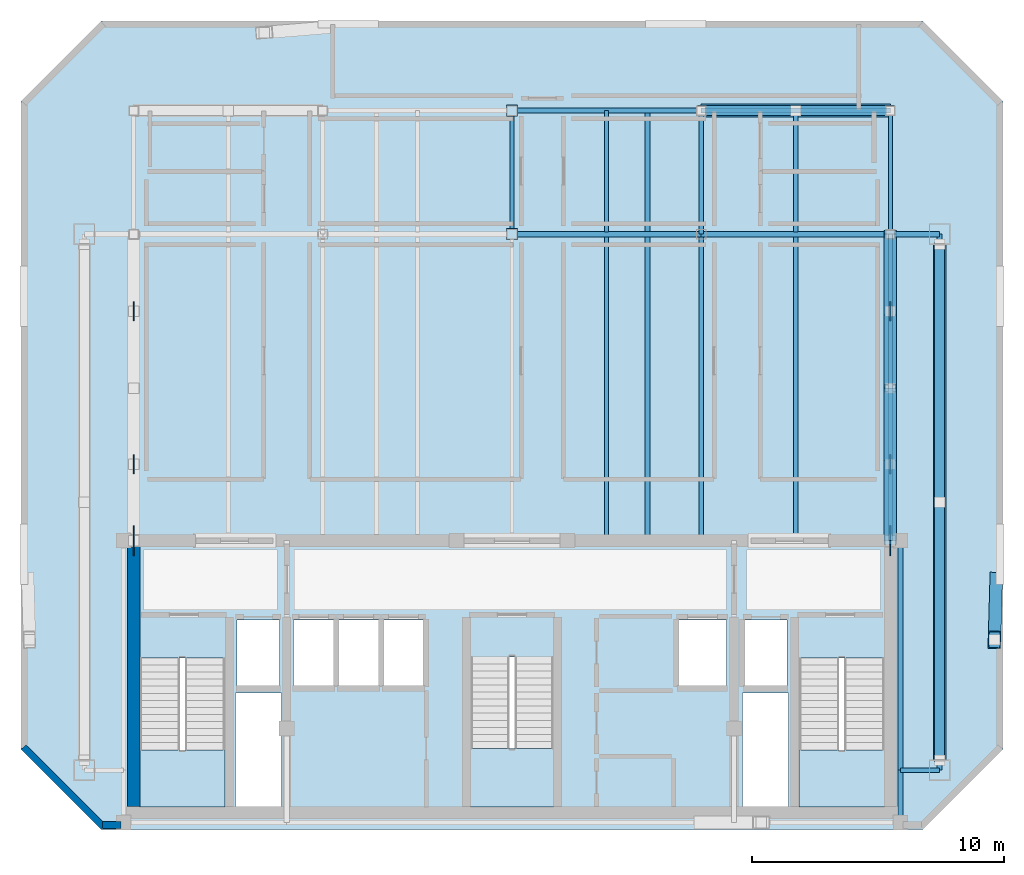
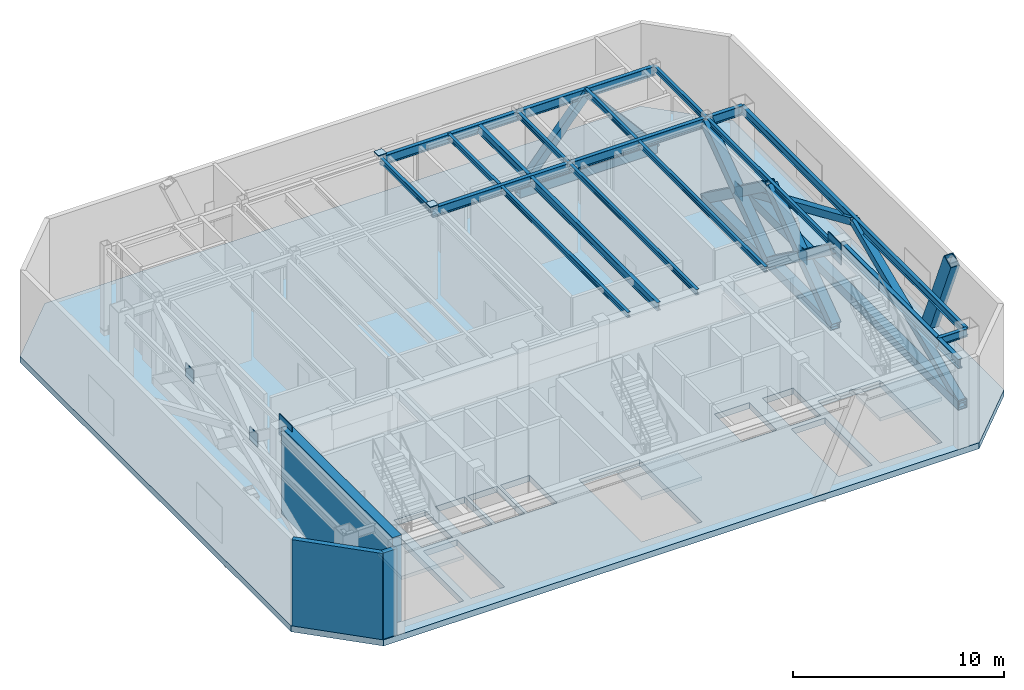
# One storey, part 2 of 7: 19 beams, 15 members, 8 plates, 4 slabs, 3 walls, 3 elements without a shape of their own.
"""IFC4 building model written with IfcOpenShell, lengths in metres."""

from ifc_helpers import new_model, si_unit, direction, frame, frame_2d, origin, origin_2d, place, context, subcontext, project, spatial, polyline, rectangle, hollow_rectangle, i_section, outline, extrude, material, layer, layer_set, material_profile, profile_set, type_object, element, aggregate, save


model = new_model("IFC4")

# Units and contexts
model_context = context("Model", 3, precision=1e-05, world=origin(), true_north=direction((0.0, 1.0)))
body_context = subcontext(model_context, "Body", "Model", "MODEL_VIEW")
ifc_project = project(units=[si_unit("LENGTHUNIT", "METRE"), si_unit("AREAUNIT", "SQUARE_METRE"), si_unit("VOLUMEUNIT", "CUBIC_METRE"), si_unit("PLANEANGLEUNIT", "RADIAN"), si_unit("MASSUNIT", "GRAM", prefix="KILO")], contexts=[model_context])

# Site, building, storey
site_placement = place(None, origin())
site = spatial("IfcSite", under=ifc_project, at=site_placement, CompositionType="ELEMENT")
building_placement = place(site_placement, origin())
building = spatial("IfcBuilding", under=site, at=building_placement, Name="Ventersveld Concourse Tower", CompositionType="ELEMENT")
storey_placement = place(building_placement, frame((0.0, 0.0, 332.300048828125)))
storey = spatial("IfcBuildingStorey", under=building, at=storey_placement, Name="L82", CompositionType="ELEMENT", Elevation=332.300048828125)

# Members
ifc_material_1 = material(Name="Structural steel S355ML", Category="steel")
ifc_material_profile_1 = material_profile(ifc_material_1, hollow_rectangle(XDim=0.39990234375, YDim=0.39990234375, WallThickness=0.02001953125, at=origin_2d()), Name="SHS 400x400x20")
ifc_profile_set_1 = profile_set([ifc_material_profile_1], Name="Structural steel S355ML")
member_type_1 = type_object("IfcMemberType", Name="BLT-BR-400", PredefinedType="BRACE", material=ifc_profile_set_1)
for number, where, z_axis, x_axis, name in (
    (1, (36.25, 28.5, 0.300048828125), (0.646102505441, 0.0, 0.763250648518), (0.0, 1.0, 0.0), "L82 Belt Truss Chevron Diagonal N3-1"),
    (2, (43.75, 28.5, 0.300048828125), (-0.646102505441, 0.0, 0.763250648518), (0.0, -1.0, 0.0), "L82 Belt Truss Chevron Diagonal N3-2"),
):
    element("IfcMember", number, at=place(storey_placement, frame(where, z_axis=z_axis, x_axis=x_axis)), inside=storey, type_object=member_type_1, Name=name, PredefinedType="BRACE", context=body_context, shape_type="SweptSolid", body=[
        extrude(hollow_rectangle(XDim=0.39990234375, YDim=0.39990234375, WallThickness=0.02001953125, at=origin_2d()), origin(), (0.0, 0.0, 1.0), 5.803955078125),
    ])
member_1_placement = place(storey_placement, frame((45.699951171875, 2.75, 0.300048828125), z_axis=(0.0, 0.91758652857, 0.39753611482), x_axis=(-1.0, 0.0, 0.0)))
element("IfcMember", 3, at=member_1_placement, inside=storey, type_object=member_type_1, Name="L82 Belt Truss Chevron Diagonal E1-1", PredefinedType="BRACE", context=body_context, shape_type="SweptSolid", body=[
    extrude(hollow_rectangle(XDim=0.39990234375, YDim=0.39990234375, WallThickness=0.02001953125, at=origin_2d()), origin(), (0.0, 0.0, 1.0), 11.1435546875),
])
member_2_placement = place(storey_placement, frame((45.699951171875, 23.199951171875, 0.300048828125), z_axis=(0.0, -0.917583066101, 0.397544106741), x_axis=(1.0, 0.0, 0.0)))
element("IfcMember", 4, at=member_2_placement, inside=storey, type_object=member_type_1, Name="L82 Belt Truss Chevron Diagonal E1-2", PredefinedType="BRACE", context=body_context, shape_type="SweptSolid", body=[
    extrude(hollow_rectangle(XDim=0.39990234375, YDim=0.39990234375, WallThickness=0.02001953125, at=origin_2d()), origin(), (0.0, 0.0, 1.0), 11.143310546875),
])

# Beams
ifc_material_2 = material(Name="Structural steel S355J2", Category="steel")
ifc_material_profile_2 = material_profile(ifc_material_2, i_section(OverallWidth=0.1650390625, OverallDepth=0.303466796875, WebThickness=0.006103515625, FlangeThickness=0.01025390625, FilletRadius=0.0087890625, at=origin_2d()), Name="UB 305x165x40")
ifc_profile_set_2 = profile_set([ifc_material_profile_2], Name="Structural steel S355J2")
beam_type_1 = type_object("IfcBeamType", Name="BM-UB305", PredefinedType="BEAM", material=ifc_profile_set_2)
beam_1_placement = place(storey_placement, frame((28.75, 23.60009765625, 4.828369140625), z_axis=(0.0, 1.0, 0.0), x_axis=(-1.0, 0.0, 0.0)))
element("IfcBeam", 5, at=beam_1_placement, inside=storey, type_object=beam_type_1, Name="L82 N-S Upper-Zone Floor Beam X=28.75", PredefinedType="BEAM", context=body_context, shape_type="SweptSolid", body=[
    extrude(i_section(OverallWidth=0.1650390625, OverallDepth=0.303466796875, WebThickness=0.006103515625, FlangeThickness=0.01025390625, FilletRadius=0.0087890625, at=origin_2d()), origin(), (0.0, 0.0, 1.0), 4.89990234375),
])
beam_2_placement = place(storey_placement, frame((32.5, 11.449951171875, 4.828369140625), z_axis=(0.0, 1.0, 0.0), x_axis=(-1.0, 0.0, 0.0)))
element("IfcBeam", 6, at=beam_2_placement, inside=storey, type_object=beam_type_1, Name="L82 N-S Composite Floor Beam South X=32.50", PredefinedType="BEAM", context=body_context, shape_type="SweptSolid", body=[
    extrude(i_section(OverallWidth=0.1650390625, OverallDepth=0.303466796875, WebThickness=0.006103515625, FlangeThickness=0.01025390625, FilletRadius=0.0087890625, at=origin_2d()), origin(), (0.0, 0.0, 1.0), 12.054931640625),
])
beam_3_placement = place(storey_placement, frame((32.5, 23.695068359375, 4.828369140625), z_axis=(0.0, 1.0, 0.0), x_axis=(-1.0, 0.0, 0.0)))
element("IfcBeam", 7, at=beam_3_placement, inside=storey, type_object=beam_type_1, Name="L82 N-S Upper-Zone Floor Beam X=32.50", PredefinedType="BEAM", context=body_context, shape_type="SweptSolid", body=[
    extrude(i_section(OverallWidth=0.1650390625, OverallDepth=0.303466796875, WebThickness=0.006103515625, FlangeThickness=0.01025390625, FilletRadius=0.0087890625, at=origin_2d()), origin(), (0.0, 0.0, 1.0), 4.804931640625),
])
beam_4_placement = place(storey_placement, frame((36.25, 11.449951171875, 4.828369140625), z_axis=(0.0, 1.0, 0.0), x_axis=(-1.0, 0.0, 0.0)))
element("IfcBeam", 8, at=beam_4_placement, inside=storey, type_object=beam_type_1, Name="L82 N-S Composite Floor Beam South X=36.25", PredefinedType="BEAM", context=body_context, shape_type="SweptSolid", body=[
    extrude(i_section(OverallWidth=0.1650390625, OverallDepth=0.303466796875, WebThickness=0.006103515625, FlangeThickness=0.01025390625, FilletRadius=0.0087890625, at=origin_2d()), origin(), (0.0, 0.0, 1.0), 12.150146484375),
])
beam_5_placement = place(storey_placement, frame((36.25, 23.60009765625, 4.828369140625), z_axis=(0.0, 1.0, 0.0), x_axis=(-1.0, 0.0, 0.0)))
element("IfcBeam", 9, at=beam_5_placement, inside=storey, type_object=beam_type_1, Name="L82 N-S Upper-Zone Floor Beam X=36.25", PredefinedType="BEAM", context=body_context, shape_type="SweptSolid", body=[
    extrude(i_section(OverallWidth=0.1650390625, OverallDepth=0.303466796875, WebThickness=0.006103515625, FlangeThickness=0.01025390625, FilletRadius=0.0087890625, at=origin_2d()), origin(), (0.0, 0.0, 1.0), 4.89990234375),
])
beam_6_placement = place(storey_placement, frame((40.0, 11.449951171875, 4.828369140625), z_axis=(0.0, 1.0, 0.0), x_axis=(-1.0, 0.0, 0.0)))
element("IfcBeam", 10, at=beam_6_placement, inside=storey, type_object=beam_type_1, Name="L82 N-S Composite Floor Beam South X=40.00", PredefinedType="BEAM", context=body_context, shape_type="SweptSolid", body=[
    extrude(i_section(OverallWidth=0.1650390625, OverallDepth=0.303466796875, WebThickness=0.006103515625, FlangeThickness=0.01025390625, FilletRadius=0.0087890625, at=origin_2d()), origin(), (0.0, 0.0, 1.0), 12.054931640625),
])
beam_7_placement = place(storey_placement, frame((40.0, 23.695068359375, 4.828369140625), z_axis=(0.0, 1.0, 0.0), x_axis=(-1.0, 0.0, 0.0)))
element("IfcBeam", 11, at=beam_7_placement, inside=storey, type_object=beam_type_1, Name="L82 N-S Upper-Zone Floor Beam X=40.00", PredefinedType="BEAM", context=body_context, shape_type="SweptSolid", body=[
    extrude(i_section(OverallWidth=0.1650390625, OverallDepth=0.303466796875, WebThickness=0.006103515625, FlangeThickness=0.01025390625, FilletRadius=0.0087890625, at=origin_2d()), origin(), (0.0, 0.0, 1.0), 4.804931640625),
])
beam_8_placement = place(storey_placement, frame((43.75, 11.449951171875, 4.828369140625), z_axis=(0.0, 1.0, 0.0), x_axis=(-1.0, 0.0, 0.0)))
element("IfcBeam", 12, at=beam_8_placement, inside=storey, type_object=beam_type_1, Name="L82 N-S Composite Floor Beam South X=43.75", PredefinedType="BEAM", context=body_context, shape_type="SweptSolid", body=[
    extrude(i_section(OverallWidth=0.1650390625, OverallDepth=0.303466796875, WebThickness=0.006103515625, FlangeThickness=0.01025390625, FilletRadius=0.0087890625, at=origin_2d()), origin(), (0.0, 0.0, 1.0), 12.150146484375),
])
beam_9_placement = place(storey_placement, frame((43.75, 23.60009765625, 4.828369140625), z_axis=(0.0, 1.0, 0.0), x_axis=(-1.0, 0.0, 0.0)))
element("IfcBeam", 13, at=beam_9_placement, inside=storey, type_object=beam_type_1, Name="L82 N-S Upper-Zone Floor Beam X=43.75", PredefinedType="BEAM", context=body_context, shape_type="SweptSolid", body=[
    extrude(i_section(OverallWidth=0.1650390625, OverallDepth=0.303466796875, WebThickness=0.006103515625, FlangeThickness=0.01025390625, FilletRadius=0.0087890625, at=origin_2d()), origin(), (0.0, 0.0, 1.0), 4.89990234375),
])
ifc_material_profile_3 = material_profile(ifc_material_2, i_section(OverallWidth=0.209228515625, OverallDepth=0.533203125, WebThickness=0.010009765625, FlangeThickness=0.015625, FilletRadius=0.0126953125, at=origin_2d()), Name="UB 533x210x92")
ifc_profile_set_3 = profile_set([ifc_material_profile_3], Name="Structural steel S355J2")
beam_type_2 = type_object("IfcBeamType", Name="GRD-UB533", PredefinedType="T_BEAM", material=ifc_profile_set_3)
for number, where, z_axis, x_axis, name in (
    (14, (28.75, 23.60009765625, 4.71337890625), (1.0, 0.0, 0.0), (0.0, 1.0, 0.0), "L82 Primary E-W Grid Girder Y=23.60 #4"),
    (15, (36.25, 23.60009765625, 4.71337890625), (1.0, 0.0, 0.0), (0.0, 1.0, 0.0), "L82 Primary E-W Grid Girder Y=23.60 #5"),
):
    element("IfcBeam", number, at=place(storey_placement, frame(where, z_axis=z_axis, x_axis=x_axis)), inside=storey, type_object=beam_type_2, Name=name, PredefinedType="T_BEAM", context=body_context, shape_type="SweptSolid", body=[
        extrude(i_section(OverallWidth=0.209228515625, OverallDepth=0.533203125, WebThickness=0.010009765625, FlangeThickness=0.015625, FilletRadius=0.0126953125, at=origin_2d()), origin(), (0.0, 0.0, 1.0), 7.5),
    ])
beam_10_placement = place(storey_placement, frame((43.75, 23.60009765625, 4.71337890625), z_axis=(1.0, 0.0, 0.0), x_axis=(0.0, 1.0, 0.0)))
element("IfcBeam", 16, at=beam_10_placement, inside=storey, type_object=beam_type_2, Name="L82 Primary E-W Grid Girder Y=23.60 #6", PredefinedType="T_BEAM", context=body_context, shape_type="SweptSolid", body=[
    extrude(i_section(OverallWidth=0.209228515625, OverallDepth=0.533203125, WebThickness=0.010009765625, FlangeThickness=0.015625, FilletRadius=0.0126953125, at=origin_2d()), origin(), (0.0, 0.0, 1.0), 1.949951171875),
])
for number, where, z_axis, x_axis, name in (
    (17, (28.75, 28.5, 4.71337890625), (1.0, 0.0, 0.0), (0.0, 1.0, 0.0), "L82 Upper-North E-W Girder Y=28.50 #3"),
    (18, (36.25, 28.5, 4.71337890625), (1.0, 0.0, 0.0), (0.0, 1.0, 0.0), "L82 Upper-North E-W Girder Y=28.50 #4"),
):
    element("IfcBeam", number, at=place(storey_placement, frame(where, z_axis=z_axis, x_axis=x_axis)), inside=storey, type_object=beam_type_2, Name=name, PredefinedType="T_BEAM", context=body_context, shape_type="SweptSolid", body=[
        extrude(i_section(OverallWidth=0.209228515625, OverallDepth=0.533203125, WebThickness=0.010009765625, FlangeThickness=0.015625, FilletRadius=0.0126953125, at=origin_2d()), origin(), (0.0, 0.0, 1.0), 7.5),
    ])
ifc_material_profile_4 = material_profile(ifc_material_2, i_section(OverallWidth=0.2119140625, OverallDepth=0.54443359375, WebThickness=0.0126953125, FlangeThickness=0.021240234375, FilletRadius=0.0126953125, at=origin_2d()), Name="UB 533x210x122")
ifc_profile_set_4 = profile_set([ifc_material_profile_4], Name="Structural steel S355J2")
beam_type_3 = type_object("IfcBeamType", Name="GRD-UB533H", PredefinedType="T_BEAM", material=ifc_profile_set_4)
beam_11_placement = place(storey_placement, frame((44.14990234375, 0.280029296875, 4.707763671875), z_axis=(0.0, 1.0, 0.0), x_axis=(-1.0, 0.0, 0.0)))
element("IfcBeam", 19, at=beam_11_placement, inside=storey, type_object=beam_type_3, Name="L82 Core East Tie Beam S", PredefinedType="T_BEAM", context=body_context, shape_type="SweptSolid", body=[
    extrude(i_section(OverallWidth=0.2119140625, OverallDepth=0.54443359375, WebThickness=0.0126953125, FlangeThickness=0.021240234375, FilletRadius=0.0126953125, at=origin_2d()), origin(), (0.0, 0.0, 1.0), 2.070068359375),
])
beam_12_placement = place(storey_placement, frame((44.14990234375, 2.35009765625, 4.707763671875), z_axis=(0.0, 1.0, 0.0), x_axis=(-1.0, 0.0, 0.0)))
element("IfcBeam", 20, at=beam_12_placement, inside=storey, type_object=beam_type_3, Name="L82 Core East Tie Beam N", PredefinedType="T_BEAM", context=body_context, shape_type="SweptSolid", body=[
    extrude(i_section(OverallWidth=0.2119140625, OverallDepth=0.54443359375, WebThickness=0.0126953125, FlangeThickness=0.021240234375, FilletRadius=0.0126953125, at=origin_2d()), origin(), (0.0, 0.0, 1.0), 9.099853515625),
])

# Members
ifc_material_profile_5 = material_profile(ifc_material_1, hollow_rectangle(XDim=0.5, YDim=0.75, WallThickness=0.034912109375, at=origin_2d()), Name="BOX 750x500x35")
ifc_profile_set_5 = profile_set([ifc_material_profile_5], Name="Structural steel S355ML")
member_type_2 = type_object("IfcMemberType", Name="MB-750x500", PredefinedType="BRACE", material=ifc_profile_set_5)
member_3_placement = place(storey_placement, frame((47.942626953125, 9.85009765625, -0.35009765625), z_axis=(-0.011374080685, -0.400317275194, 0.916306013005), x_axis=(0.999596604453, -0.028401203586, 0.0)))
element("IfcMember", 21, at=member_3_placement, inside=storey, type_object=member_type_2, Name="L82 Exterior Mega-Brace E (Module M20)", PredefinedType="BRACE", context=body_context, shape_type="SweptSolid", body=[
    extrude(hollow_rectangle(XDim=0.5, YDim=0.75, WallThickness=0.034912109375, at=origin_2d()), origin(), (0.0, 0.0, 1.0), 5.81689453125),
])
ifc_material_profile_6 = material_profile(ifc_material_1, hollow_rectangle(XDim=0.5, YDim=0.5, WallThickness=0.031982421875, at=origin_2d()), Name="BOX 500x500x32")
ifc_profile_set_6 = profile_set([ifc_material_profile_6], Name="Structural steel S355ML")
member_type_3 = type_object("IfcMemberType", Name="OUT-BR-500", PredefinedType="BRACE", material=ifc_profile_set_6)
member_4_placement = place(storey_placement, frame((43.75, 11.449951171875, 0.300048828125), z_axis=(0.0, 0.806835384059, 0.590776322334), x_axis=(-1.0, 0.0, 0.0)))
element("IfcMember", 22, at=member_4_placement, inside=storey, type_object=member_type_3, Name="L82 Outrigger Truss Continuous Diagonal E-1A", PredefinedType="BRACE", context=body_context, shape_type="SweptSolid", body=[
    extrude(hollow_rectangle(XDim=0.5, YDim=0.5, WallThickness=0.031982421875, at=origin_2d()), origin(), (0.0, 0.0, 1.0), 7.49853515625),
])
member_5_placement = place(storey_placement, frame((43.75, 11.449951171875, 4.72998046875), z_axis=(0.0, 0.806831228361, -0.590781997814), x_axis=(-1.0, 0.0, 0.0)))
element("IfcMember", 23, at=member_5_placement, inside=storey, type_object=member_type_3, Name="L82 Outrigger Truss Split X-Diagonal E-1B1", PredefinedType="BRACE", context=body_context, shape_type="SweptSolid", body=[
    extrude(hollow_rectangle(XDim=0.5, YDim=0.5, WallThickness=0.031982421875, at=origin_2d()), origin(), (0.0, 0.0, 1.0), 3.74951171875),
])
member_6_placement = place(storey_placement, frame((43.75, 14.47509765625, 2.514892578125), z_axis=(0.0, 0.806839540096, -0.590770646307), x_axis=(-1.0, 0.0, 0.0)))
element("IfcMember", 24, at=member_6_placement, inside=storey, type_object=member_type_3, Name="L82 Outrigger Truss Split X-Diagonal E-1B2", PredefinedType="BRACE", context=body_context, shape_type="SweptSolid", body=[
    extrude(hollow_rectangle(XDim=0.5, YDim=0.5, WallThickness=0.031982421875, at=origin_2d()), origin(), (0.0, 0.0, 1.0), 3.7490234375),
])
member_7_placement = place(storey_placement, frame((43.75, 17.5, 4.72998046875), z_axis=(0.0, 0.809146201332, -0.587607373056), x_axis=(-1.0, 0.0, 0.0)))
element("IfcMember", 25, at=member_7_placement, inside=storey, type_object=member_type_3, Name="L82 Outrigger Truss Continuous Diagonal E-2A", PredefinedType="BRACE", context=body_context, shape_type="SweptSolid", body=[
    extrude(hollow_rectangle(XDim=0.5, YDim=0.5, WallThickness=0.031982421875, at=origin_2d()), origin(), (0.0, 0.0, 1.0), 7.538818359375),
])
member_8_placement = place(storey_placement, frame((43.75, 17.5, 0.300048828125), z_axis=(0.0, 0.809161598645, 0.587586170088), x_axis=(-1.0, 0.0, 0.0)))
element("IfcMember", 26, at=member_8_placement, inside=storey, type_object=member_type_3, Name="L82 Outrigger Truss Split X-Diagonal E-2B1", PredefinedType="BRACE", context=body_context, shape_type="SweptSolid", body=[
    extrude(hollow_rectangle(XDim=0.5, YDim=0.5, WallThickness=0.031982421875, at=origin_2d()), origin(), (0.0, 0.0, 1.0), 3.769287109375),
])
member_9_placement = place(storey_placement, frame((43.75, 20.550048828125, 2.514892578125), z_axis=(0.0, 0.80913080405, 0.587628574814), x_axis=(-1.0, 0.0, 0.0)))
element("IfcMember", 27, at=member_9_placement, inside=storey, type_object=member_type_3, Name="L82 Outrigger Truss Split X-Diagonal E-2B2", PredefinedType="BRACE", context=body_context, shape_type="SweptSolid", body=[
    extrude(hollow_rectangle(XDim=0.5, YDim=0.5, WallThickness=0.031982421875, at=origin_2d()), origin(), (0.0, 0.0, 1.0), 3.76953125),
])
ifc_material_profile_7 = material_profile(ifc_material_1, hollow_rectangle(XDim=0.5, YDim=0.5, WallThickness=0.031982421875, at=origin_2d()), Name="BOX 500x500x32")
ifc_profile_set_7 = profile_set([ifc_material_profile_7], Name="Structural steel S355ML")
member_type_4 = type_object("IfcMemberType", Name="OUT-CH-500", PredefinedType="CHORD", material=ifc_profile_set_7)
member_10_placement = place(storey_placement, frame((43.75, 11.449951171875, 0.300048828125), z_axis=(0.0, 1.0, 0.0), x_axis=(-1.0, 0.0, 0.0)))
element("IfcMember", 28, at=member_10_placement, inside=storey, type_object=member_type_4, Name="L82 Outrigger Truss Bottom Chord E-1", PredefinedType="CHORD", context=body_context, shape_type="SweptSolid", body=[
    extrude(hollow_rectangle(XDim=0.5, YDim=0.5, WallThickness=0.031982421875, at=origin_2d()), origin(), (0.0, 0.0, 1.0), 6.050048828125),
])
member_11_placement = place(storey_placement, frame((43.75, 17.5, 0.300048828125), z_axis=(0.0, 1.0, 0.0), x_axis=(-1.0, 0.0, 0.0)))
element("IfcMember", 29, at=member_11_placement, inside=storey, type_object=member_type_4, Name="L82 Outrigger Truss Bottom Chord E-2", PredefinedType="CHORD", context=body_context, shape_type="SweptSolid", body=[
    extrude(hollow_rectangle(XDim=0.5, YDim=0.5, WallThickness=0.031982421875, at=origin_2d()), origin(), (0.0, 0.0, 1.0), 6.10009765625),
])
member_12_placement = place(storey_placement, frame((36.25, 28.5, 0.300048828125), z_axis=(1.0, 0.0, 0.0), x_axis=(0.0, 1.0, 0.0)))
element("IfcMember", 30, at=member_12_placement, inside=storey, type_object=member_type_4, Name="L82 Belt Truss Bottom Chord N3", PredefinedType="CHORD", context=body_context, shape_type="SweptSolid", body=[
    extrude(hollow_rectangle(XDim=0.5, YDim=0.5, WallThickness=0.031982421875, at=origin_2d()), origin(), (0.0, 0.0, 1.0), 7.5),
])
member_13_placement = place(storey_placement, frame((45.699951171875, 2.75, 0.300048828125), z_axis=(0.0, 1.0, 0.0), x_axis=(-1.0, 0.0, 0.0)))
element("IfcMember", 31, at=member_13_placement, inside=storey, type_object=member_type_4, Name="L82 Belt Truss Bottom Chord E1", PredefinedType="CHORD", context=body_context, shape_type="SweptSolid", body=[
    extrude(hollow_rectangle(XDim=0.5, YDim=0.5, WallThickness=0.031982421875, at=origin_2d()), origin(), (0.0, 0.0, 1.0), 20.449951171875),
])

# Beams
ifc_material_profile_8 = material_profile(ifc_material_2, i_section(OverallWidth=0.19140625, OverallDepth=0.4599609375, WebThickness=0.010009765625, FlangeThickness=0.01611328125, FilletRadius=0.01025390625, at=origin_2d()), Name="UB 457x191x82")
ifc_profile_set_8 = profile_set([ifc_material_profile_8], Name="Structural steel S355J2")
beam_type_4 = type_object("IfcBeamType", Name="SPD-UB457", PredefinedType="SPANDREL", material=ifc_profile_set_8)
beam_13_placement = place(storey_placement, frame((44.14990234375, 2.35009765625, 4.75), z_axis=(1.0, 0.0, 0.0), x_axis=(0.0, 1.0, 0.0)))
element("IfcBeam", 32, at=beam_13_placement, inside=storey, type_object=beam_type_4, Name="L82 SE Spandrel Beam", PredefinedType="SPANDREL", context=body_context, shape_type="SweptSolid", body=[
    extrude(i_section(OverallWidth=0.19140625, OverallDepth=0.4599609375, WebThickness=0.010009765625, FlangeThickness=0.01611328125, FilletRadius=0.01025390625, at=origin_2d()), origin(), (0.0, 0.0, 1.0), 1.550048828125),
])
beam_14_placement = place(storey_placement, frame((45.699951171875, 2.35009765625, 4.75), z_axis=(0.0, 1.0, 0.0), x_axis=(-1.0, 0.0, 0.0)))
element("IfcBeam", 33, at=beam_14_placement, inside=storey, type_object=beam_type_4, Name="L82 East Spandrel Beam", PredefinedType="SPANDREL", context=body_context, shape_type="SweptSolid", body=[
    extrude(i_section(OverallWidth=0.19140625, OverallDepth=0.4599609375, WebThickness=0.010009765625, FlangeThickness=0.01611328125, FilletRadius=0.01025390625, at=origin_2d()), origin(), (0.0, 0.0, 1.0), 21.25),
])
beam_15_placement = place(storey_placement, frame((34.1201171875, 11.449951171875, 4.75), z_axis=(0.0, 1.0, 0.0), x_axis=(-1.0, 0.0, 0.0)))
element("IfcBeam", 34, at=beam_15_placement, inside=storey, type_object=beam_type_4, Name="L82 Wind Portal Base Girder E", PredefinedType="SPANDREL", context=body_context, shape_type="SweptSolid", body=[
    extrude(i_section(OverallWidth=0.19140625, OverallDepth=0.4599609375, WebThickness=0.010009765625, FlangeThickness=0.01611328125, FilletRadius=0.01025390625, at=origin_2d()), origin(), (0.0, 0.0, 1.0), 17.050048828125),
])

# Plates
ifc_layer_1 = layer(ifc_material_2, 0.0400390625)
ifc_layer_set_1 = layer_set([ifc_layer_1], Name="Structural steel S355J2")
plate_type_1 = type_object("IfcPlateType", Name="PL-GUSSET-40", PredefinedType="USERDEFINED", material=ifc_layer_set_1)
for number, where, z_axis, x_axis, name in (
    (35, (13.75, 14.47509765625, 2.139892578125), (0.0, 0.0, 1.0), (1.0, 0.0, 0.0), "L82 Outrigger X-Crossing Gusset Plate W-1"),
    (36, (13.75, 20.550048828125, 2.139892578125), (0.0, 0.0, 1.0), (1.0, 0.0, 0.0), "L82 Outrigger X-Crossing Gusset Plate W-2"),
):
    element("IfcPlate", number, at=place(storey_placement, frame(where, z_axis=z_axis, x_axis=x_axis)), inside=storey, type_object=plate_type_1, Name=name, ObjectType="GUSSET_PLATE", PredefinedType="USERDEFINED", context=body_context, shape_type="SweptSolid", body=[
        extrude(rectangle(XDim=0.0400390625, YDim=0.75, at=origin_2d()), origin(), (0.0, 0.0, 1.0), 0.75),
    ])
plate_1_placement = place(storey_placement, frame((13.75, 11.449951171875, 4.1298828125), z_axis=(0.0, 0.0, 1.0), x_axis=(1.0, 0.0, 0.0)))
element("IfcPlate", 37, at=plate_1_placement, inside=storey, type_object=plate_type_1, Name="L82 Outrigger Core Gusset Node Plate W", ObjectType="GUSSET_PLATE", PredefinedType="USERDEFINED", context=body_context, shape_type="SweptSolid", body=[
    extrude(rectangle(XDim=0.0400390625, YDim=1.199951171875, at=origin_2d()), origin(), (0.0, 0.0, 1.0), 1.199951171875),
])
for number, where, z_axis, x_axis, name in (
    (38, (43.75, 14.47509765625, 2.139892578125), (0.0, 0.0, 1.0), (1.0, 0.0, 0.0), "L82 Outrigger X-Crossing Gusset Plate E-1"),
    (39, (43.75, 20.550048828125, 2.139892578125), (0.0, 0.0, 1.0), (1.0, 0.0, 0.0), "L82 Outrigger X-Crossing Gusset Plate E-2"),
):
    element("IfcPlate", number, at=place(storey_placement, frame(where, z_axis=z_axis, x_axis=x_axis)), inside=storey, type_object=plate_type_1, Name=name, ObjectType="GUSSET_PLATE", PredefinedType="USERDEFINED", context=body_context, shape_type="SweptSolid", body=[
        extrude(rectangle(XDim=0.0400390625, YDim=0.75, at=origin_2d()), origin(), (0.0, 0.0, 1.0), 0.75),
    ])
plate_2_placement = place(storey_placement, frame((43.75, 11.449951171875, 4.1298828125), z_axis=(0.0, 0.0, 1.0), x_axis=(1.0, 0.0, 0.0)))
element("IfcPlate", 40, at=plate_2_placement, inside=storey, type_object=plate_type_1, Name="L82 Outrigger Core Gusset Node Plate E", ObjectType="GUSSET_PLATE", PredefinedType="USERDEFINED", context=body_context, shape_type="SweptSolid", body=[
    extrude(rectangle(XDim=0.0400390625, YDim=1.199951171875, at=origin_2d()), origin(), (0.0, 0.0, 1.0), 1.199951171875),
])
ifc_layer_2 = layer(ifc_material_2, 0.050048828125)
ifc_layer_set_2 = layer_set([ifc_layer_2], Name="Structural steel S355J2")
plate_type_2 = type_object("IfcPlateType", Name="PL-MAST-BASE-50", PredefinedType="USERDEFINED", material=ifc_layer_set_2)
for number, where, z_axis, x_axis, name in (
    (41, (28.75, 23.60009765625, 5.14990234375), (0.0, 0.0, 1.0), (1.0, 0.0, 0.0), "L82 Hollow Column Steel End Cap Plate 027"),
    (42, (28.75, 28.5, 5.14990234375), (0.0, 0.0, 1.0), (1.0, 0.0, 0.0), "L82 Hollow Column Steel End Cap Plate 028"),
):
    element("IfcPlate", number, at=place(storey_placement, frame(where, z_axis=z_axis, x_axis=x_axis)), inside=storey, type_object=plate_type_2, Name=name, ObjectType="GUSSET_PLATE", PredefinedType="USERDEFINED", context=body_context, shape_type="SweptSolid", body=[
        extrude(rectangle(XDim=0.43994140625, YDim=0.43994140625, at=origin_2d()), origin(), (0.0, 0.0, 1.0), 0.050048828125),
    ])

# Slab
ifc_material_3 = material(Name="Concrete C50/60", Category="concrete")
ifc_layer_3 = layer(ifc_material_3, 0.35009765625)
ifc_layer_set_3 = layer_set([ifc_layer_3], Name="Concrete C50/60")
slab_type_1 = type_object("IfcSlabType", Name="SL-FLR-350", PredefinedType="FLOOR", material=ifc_layer_set_3)
slab_1_placement = place(storey_placement, frame((0.0, 0.0, -0.35009765625)))
element("IfcSlab", 43, at=slab_1_placement, inside=storey, type_object=slab_type_1, Name="L82 Composite Floor Slab", PredefinedType="FLOOR", context=body_context, shape_type="SweptSolid", body=[
    extrude(outline(polyline([(12.477294921875, 0.0), (45.022705078125, 0.0), (48.22265625, 3.199951171875), (48.22265625, 28.859375), (45.022705078125, 32.059326171875), (12.477294921875, 32.059326171875), (9.27734375, 28.859375), (9.27734375, 3.199951171875), (12.477294921875, 0.0)]), holes=[polyline([(13.97998046875, 6.794921875), (13.97998046875, 0.89990234375), (17.3798828125, 0.89990234375), (17.3798828125, 6.794921875), (13.97998046875, 6.794921875)]), polyline([(40.1201171875, 6.794921875), (40.1201171875, 0.89990234375), (43.52001953125, 0.89990234375), (43.52001953125, 6.794921875), (40.1201171875, 6.794921875)]), polyline([(27.10009765625, 6.844970703125), (27.10009765625, 0.89990234375), (30.39990234375, 0.89990234375), (30.39990234375, 6.844970703125), (27.10009765625, 6.844970703125)]), polyline([(17.85009765625, 5.699951171875), (19.530029296875, 5.699951171875), (19.530029296875, 8.300048828125), (17.85009765625, 8.300048828125), (17.85009765625, 5.699951171875)]), polyline([(37.969970703125, 5.699951171875), (39.64990234375, 5.699951171875), (39.64990234375, 8.300048828125), (37.969970703125, 8.300048828125), (37.969970703125, 5.699951171875)]), polyline([(35.35009765625, 5.699951171875), (37.25, 5.699951171875), (37.25, 8.300048828125), (35.35009765625, 8.300048828125), (35.35009765625, 5.699951171875)]), polyline([(20.090087890625, 5.699951171875), (21.68994140625, 5.699951171875), (21.68994140625, 8.300048828125), (20.090087890625, 8.300048828125), (20.090087890625, 5.699951171875)]), polyline([(21.8701171875, 5.699951171875), (23.469970703125, 5.699951171875), (23.469970703125, 8.300048828125), (21.8701171875, 8.300048828125), (21.8701171875, 5.699951171875)]), polyline([(23.64990234375, 5.699951171875), (25.25, 5.699951171875), (25.25, 8.300048828125), (23.64990234375, 8.300048828125), (23.64990234375, 5.699951171875)]), polyline([(17.780029296875, 0.919921875), (19.6201171875, 0.919921875), (19.6201171875, 5.419921875), (17.780029296875, 5.419921875), (17.780029296875, 0.919921875)]), polyline([(37.8798828125, 0.919921875), (39.719970703125, 0.919921875), (39.719970703125, 5.419921875), (37.8798828125, 5.419921875), (37.8798828125, 0.919921875)])]), origin(), (0.0, 0.0, 1.0), 0.35009765625),
])

# Stair, slab
stair_type_1 = type_object("IfcStairType", Name="ST-DOG-160", PredefinedType="HALF_TURN_STAIR", material=ifc_material_3)
stair_1_placement = place(storey_placement, origin())
stair_1 = element("IfcStair", 44, at=stair_1_placement, inside=storey, type_object=stair_type_1, Name="L82 Protected Tower Escape Stair ST-01", PredefinedType="HALF_TURN_STAIR")
ifc_layer_4 = layer(ifc_material_3, 0.199951171875)
ifc_layer_set_4 = layer_set([ifc_layer_4], Name="Concrete C50/60")
slab_type_2 = type_object("IfcSlabType", Name="SL-LND-200", PredefinedType="LANDING", material=ifc_layer_set_4)
slab_2_placement = place(storey_placement, frame((0.0, 0.0, 2.39990234375)))
slab_2 = element("IfcSlab", 45, at=slab_2_placement, type_object=slab_type_2, Name="ST-01 landing 1", PredefinedType="LANDING", context=body_context, shape_type="SweptSolid", body=[
    extrude(outline(polyline([(13.97998046875, 3.159912109375), (13.97998046875, 0.89990234375), (17.3798828125, 0.89990234375), (17.3798828125, 3.159912109375), (13.97998046875, 3.159912109375)])), origin(), (0.0, 0.0, 1.0), 0.199951171875),
])
aggregate(stair_1, [slab_2])

stair_2_placement = place(storey_placement, origin())
stair_2 = element("IfcStair", 46, at=stair_2_placement, inside=storey, type_object=stair_type_1, Name="L82 Protected Tower Escape Stair ST-02", PredefinedType="HALF_TURN_STAIR")
slab_3_placement = place(storey_placement, frame((0.0, 0.0, 2.39990234375)))
slab_3 = element("IfcSlab", 47, at=slab_3_placement, type_object=slab_type_2, Name="ST-02 landing 1", PredefinedType="LANDING", context=body_context, shape_type="SweptSolid", body=[
    extrude(outline(polyline([(40.1201171875, 3.159912109375), (40.1201171875, 0.89990234375), (43.52001953125, 0.89990234375), (43.52001953125, 3.159912109375), (40.1201171875, 3.159912109375)])), origin(), (0.0, 0.0, 1.0), 0.199951171875),
])
aggregate(stair_2, [slab_3])

stair_type_2 = type_object("IfcStairType", Name="ST-DOG-155", PredefinedType="HALF_TURN_STAIR", material=ifc_material_3)
stair_3_placement = place(storey_placement, origin())
stair_3 = element("IfcStair", 48, at=stair_3_placement, inside=storey, type_object=stair_type_2, Name="L82 Protected Central Core Escape Stair ST-03", PredefinedType="HALF_TURN_STAIR")
slab_4_placement = place(storey_placement, frame((0.0, 0.0, 2.39990234375)))
slab_4 = element("IfcSlab", 49, at=slab_4_placement, type_object=slab_type_2, Name="ST-03 landing 1", PredefinedType="LANDING", context=body_context, shape_type="SweptSolid", body=[
    extrude(outline(polyline([(27.10009765625, 3.2099609375), (27.10009765625, 0.89990234375), (30.39990234375, 0.89990234375), (30.39990234375, 3.2099609375), (27.10009765625, 3.2099609375)])), origin(), (0.0, 0.0, 1.0), 0.199951171875),
])
aggregate(stair_3, [slab_4])

# Walls
ifc_layer_5 = layer(ifc_material_3, 0.5)
ifc_layer_set_5 = layer_set([ifc_layer_5], Name="Concrete C50/60")
wall_type_1 = type_object("IfcWallType", Name="WL-CORE-500", PredefinedType="SHEAR", material=ifc_layer_set_5)
wall_1_placement = place(storey_placement, frame((13.75, 0.919921875, 0.0), z_axis=(0.0, 0.0, 1.0), x_axis=(0.0, 1.0, 0.0)))
element("IfcWall", 50, at=wall_1_placement, inside=storey, type_object=wall_type_1, Name="L82 Rear Core West Shear Wall", PredefinedType="SHEAR", context=body_context, shape_type="SweptSolid", body=[
    extrude(rectangle(XDim=10.530029296875, YDim=0.5, at=frame_2d((5.26513671875, 0.0))), origin(), (0.0, 0.0, 1.0), 4.97998046875),
])
ifc_material_4 = material(Name="Precast concrete C45/55", Category="concrete")
ifc_layer_6 = layer(ifc_material_4, 0.260009765625)
ifc_layer_set_6 = layer_set([ifc_layer_6], Name="Precast concrete C45/55")
wall_type_2 = type_object("IfcWallType", Name="WL-PREC-260", PredefinedType="SOLIDWALL", material=ifc_layer_set_6)
wall_2_placement = place(storey_placement, frame((12.517333984375, 0.179931640625, 0.0), z_axis=(0.0, 0.0, 1.0), x_axis=(1.0, 0.0, 0.0)))
element("IfcWall", 51, at=wall_2_placement, inside=storey, type_object=wall_type_2, Name="L82 South-West Flank Precast Wall", PredefinedType="SOLIDWALL", context=body_context, shape_type="SweptSolid", body=[
    extrude(rectangle(XDim=0.732666015625, YDim=0.260009765625, at=frame_2d((0.3662109375, 0.0))), origin(), (0.0, 0.0, 1.0), 4.97998046875),
])
wall_3_placement = place(storey_placement, frame((9.3974609375, 3.263671875, 0.0), z_axis=(0.0, 0.0, 1.0), x_axis=(0.707106781187, -0.707106781187, 0.0)))
element("IfcWall", 52, at=wall_3_placement, inside=storey, type_object=wall_type_2, Name="L82 Highveld Precast Facade Wall E08", PredefinedType="SOLIDWALL", context=body_context, shape_type="SweptSolid", body=[
    extrude(rectangle(XDim=4.445556640625, YDim=0.260009765625, at=frame_2d((2.22265625, 0.0))), origin(), (0.0, 0.0, 1.0), 4.97998046875),
])

save(model, "model.ifc")
